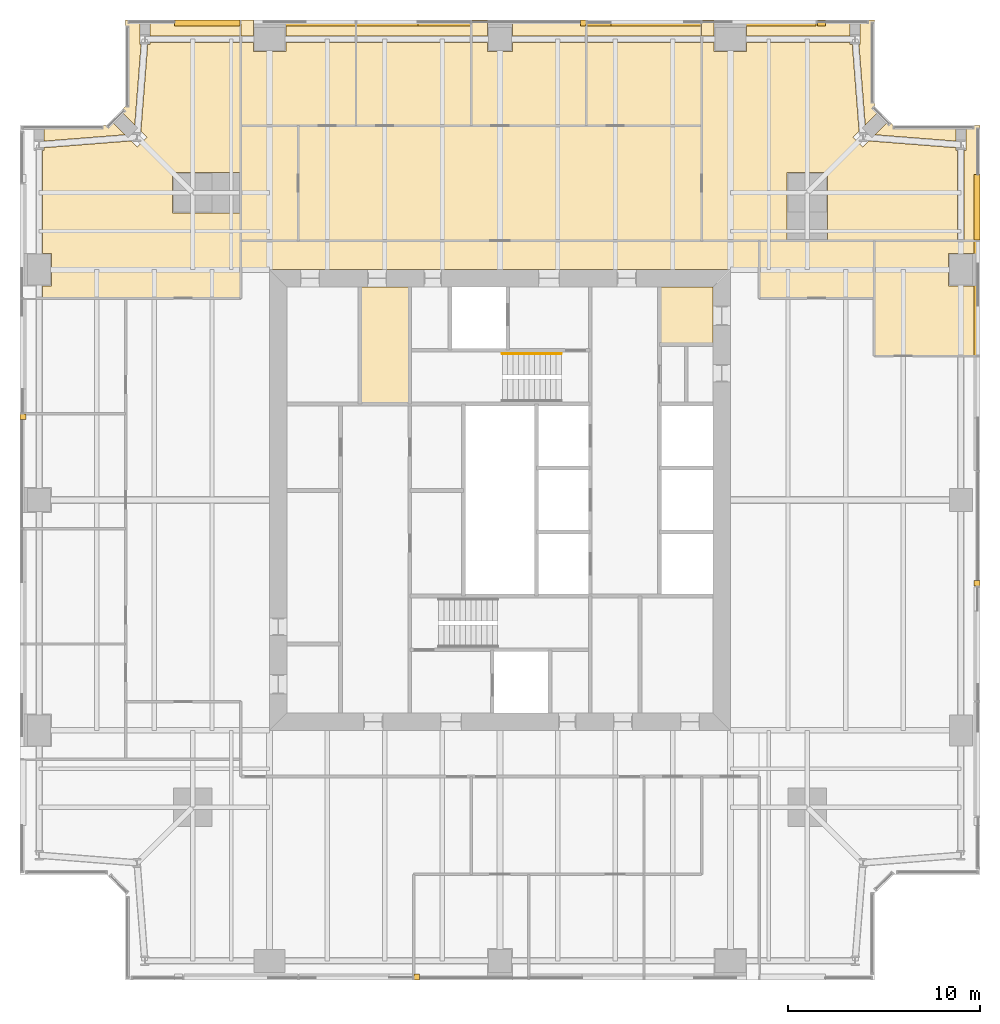
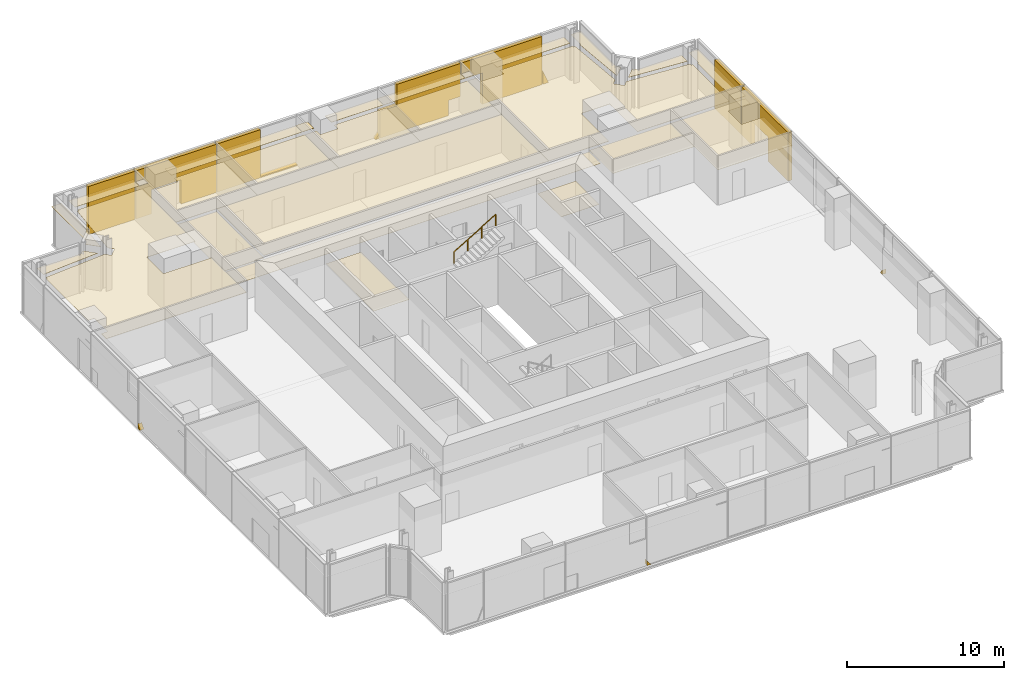
# One storey, part 14 of 14: 39 coverings, 1 railing.
"""IFC4 building model written with IfcOpenShell, lengths in metres."""

from ifc_helpers import new_model, si_unit, direction, frame, origin, origin_2d, place, context, subcontext, project, spatial, polyline, circle, outline, extrude, material, layer, layer_set, type_object, element, save


model = new_model("IFC4")

# Units and contexts
model_context = context("Model", 3, precision=1e-05, world=origin(), true_north=direction((0.0, 1.0)))
body_context = subcontext(model_context, "Body", "Model", "MODEL_VIEW")
ifc_project = project(units=[si_unit("LENGTHUNIT", "METRE"), si_unit("AREAUNIT", "SQUARE_METRE"), si_unit("VOLUMEUNIT", "CUBIC_METRE"), si_unit("PLANEANGLEUNIT", "RADIAN"), si_unit("MASSUNIT", "GRAM", prefix="KILO")], contexts=[model_context])

# Site, building, storey
site_placement = place(None, origin())
site = spatial("IfcSite", under=ifc_project, at=site_placement, CompositionType="ELEMENT")
building_placement = place(site_placement, origin())
building = spatial("IfcBuilding", under=site, at=building_placement, Name="Fenwick Lantern Interchange", CompositionType="ELEMENT")
storey_placement = place(building_placement, frame((0.0, 0.0, 193.800048828125)))
storey = spatial("IfcBuildingStorey", under=building, at=storey_placement, Name="L45", CompositionType="ELEMENT", Elevation=193.800048828125)

# Coverings
ifc_material_1 = material(Name="Mineral fibre acoustic tile on suspended grid")
ifc_layer_1 = layer(ifc_material_1, 0.02001953125)
ifc_layer_set_1 = layer_set([ifc_layer_1], Name="ACOUSTIC TILE CEILING 20")
covering_type_1 = type_object("IfcCoveringType", Name="ACOUSTIC TILE CEILING 20", PredefinedType="CEILING", material=ifc_layer_set_1)
covering_1_placement = place(storey_placement, frame((0.0, 0.0, 2.699951171875)))
element("IfcCovering", 1, at=covering_1_placement, inside=storey, type_object=covering_type_1, Name="Quiet room ceiling", PredefinedType="CEILING", context=body_context, shape_type="SweptSolid", body=[
    extrude(outline(polyline([(50.0, 32.5), (50.0, 36.14990234375), (48.35009765625, 36.14990234375), (48.35009765625, 37.85009765625), (50.0, 37.85009765625), (50.0, 38.5), (44.5, 38.5), (44.5, 32.5), (50.0, 32.5)])), origin(), (0.0, 0.0, 1.0), 0.02001953125),
])
covering_2_placement = place(storey_placement, frame((0.0, 0.0, 2.89990234375)))
element("IfcCovering", 2, at=covering_2_placement, inside=storey, type_object=covering_type_1, Name="Open office ceiling", PredefinedType="CEILING", context=body_context, shape_type="SweptSolid", body=[
    extrude(outline(polyline([(35.5, 38.5), (35.5, 44.5), (14.5, 44.5), (14.5, 38.5), (35.5, 38.5)])), origin(), (0.0, 0.0, 1.0), 0.02001953125),
])
covering_3_placement = place(storey_placement, frame((0.0, 0.0, 2.89990234375)))
element("IfcCovering", 3, at=covering_3_placement, inside=storey, type_object=covering_type_1, Name="Office ceiling", PredefinedType="CEILING", context=body_context, shape_type="SweptSolid", body=[
    extrude(outline(polyline([(42.050048828125, 38.5), (48.82763671875, 38.5), (48.82763671875, 43.21240234375), (48.73779296875, 43.21240234375), (48.73779296875, 43.34765625), (44.22216796875, 43.701904296875), (43.89990234375, 43.379638671875), (43.379638671875, 43.89990234375), (43.701904296875, 44.22216796875), (43.349609375, 48.71240234375), (43.23779296875, 48.71240234375), (43.23779296875, 48.82763671875), (37.85009765625, 48.82763671875), (37.85009765625, 48.35009765625), (36.14990234375, 48.35009765625), (36.14990234375, 48.82763671875), (35.5, 48.82763671875), (35.5, 38.5), (39.949951171875, 38.5), (39.949951171875, 42.050048828125), (42.050048828125, 42.050048828125), (42.050048828125, 38.5)])), origin(), (0.0, 0.0, 1.0), 0.02001953125),
])
covering_4_placement = place(storey_placement, frame((0.0, 0.0, 2.89990234375)))
element("IfcCovering", 4, at=covering_4_placement, inside=storey, type_object=covering_type_1, Name="Office ceiling", PredefinedType="CEILING", context=body_context, shape_type="SweptSolid", body=[
    extrude(outline(polyline([(49.26220703125, 44.5), (49.26220703125, 43.21240234375), (49.17236328125, 43.21240234375), (49.17236328125, 38.5), (50.0, 38.5), (50.0, 44.5), (49.26220703125, 44.5)])), origin(), (0.0, 0.0, 1.0), 0.02001953125),
])
covering_5_placement = place(storey_placement, frame((0.0, 0.0, 2.89990234375)))
element("IfcCovering", 5, at=covering_5_placement, inside=storey, type_object=covering_type_1, Name="Office ceiling", PredefinedType="CEILING", context=body_context, shape_type="SweptSolid", body=[
    extrude(outline(polyline([(37.85009765625, 50.0), (37.85009765625, 49.17236328125), (43.23779296875, 49.17236328125), (43.23779296875, 50.0), (37.85009765625, 50.0)])), origin(), (0.0, 0.0, 1.0), 0.02001953125),
])
covering_6_placement = place(storey_placement, frame((0.0, 0.0, 2.89990234375)))
element("IfcCovering", 6, at=covering_6_placement, inside=storey, type_object=covering_type_1, Name="Office ceiling", PredefinedType="CEILING", context=body_context, shape_type="SweptSolid", body=[
    extrude(outline(polyline([(43.76220703125, 48.71240234375), (43.695556640625, 48.71240234375), (44.0224609375, 44.542724609375), (44.73974609375, 45.26025390625), (44.5, 45.5), (44.5, 50.0), (43.76220703125, 50.0), (43.76220703125, 48.71240234375)])), origin(), (0.0, 0.0, 1.0), 0.02001953125),
])
covering_7_placement = place(storey_placement, frame((0.0, 0.0, 2.89990234375)))
element("IfcCovering", 7, at=covering_7_placement, inside=storey, type_object=covering_type_1, Name="Office ceiling", PredefinedType="CEILING", context=body_context, shape_type="SweptSolid", body=[
    extrude(outline(polyline([(45.26025390625, 44.73974609375), (44.542724609375, 44.0224609375), (48.73779296875, 43.693603515625), (48.73779296875, 44.5), (45.5, 44.5), (45.26025390625, 44.73974609375)])), origin(), (0.0, 0.0, 1.0), 0.02001953125),
])
covering_8_placement = place(storey_placement, frame((0.0, 0.0, 2.89990234375)))
element("IfcCovering", 8, at=covering_8_placement, inside=storey, type_object=covering_type_1, Name="Office ceiling", PredefinedType="CEILING", context=body_context, shape_type="SweptSolid", body=[
    extrude(outline(polyline([(35.5, 50.0), (35.5, 49.17236328125), (36.14990234375, 49.17236328125), (36.14990234375, 50.0), (35.5, 50.0)])), origin(), (0.0, 0.0, 1.0), 0.02001953125),
])
covering_9_placement = place(storey_placement, frame((0.0, 0.0, 2.89990234375)))
element("IfcCovering", 9, at=covering_9_placement, inside=storey, type_object=covering_type_1, Name="Office ceiling", PredefinedType="CEILING", context=body_context, shape_type="SweptSolid", body=[
    extrude(outline(polyline([(35.5, 44.5), (35.5, 48.82763671875), (29.5, 48.82763671875), (29.5, 44.5), (35.5, 44.5)])), origin(), (0.0, 0.0, 1.0), 0.02001953125),
])
covering_10_placement = place(storey_placement, frame((0.0, 0.0, 2.89990234375)))
element("IfcCovering", 10, at=covering_10_placement, inside=storey, type_object=covering_type_1, Name="Office ceiling", PredefinedType="CEILING", context=body_context, shape_type="SweptSolid", body=[
    extrude(outline(polyline([(29.5, 50.0), (29.5, 49.17236328125), (35.5, 49.17236328125), (35.5, 50.0), (29.5, 50.0)])), origin(), (0.0, 0.0, 1.0), 0.02001953125),
])
covering_11_placement = place(storey_placement, frame((0.0, 0.0, 2.89990234375)))
element("IfcCovering", 11, at=covering_11_placement, inside=storey, type_object=covering_type_1, Name="Office ceiling", PredefinedType="CEILING", context=body_context, shape_type="SweptSolid", body=[
    extrude(outline(polyline([(29.5, 44.5), (29.5, 48.82763671875), (25.64990234375, 48.82763671875), (25.64990234375, 48.35009765625), (24.35009765625, 48.35009765625), (24.35009765625, 48.82763671875), (23.5, 48.82763671875), (23.5, 44.5), (29.5, 44.5)])), origin(), (0.0, 0.0, 1.0), 0.02001953125),
])
covering_12_placement = place(storey_placement, frame((0.0, 0.0, 2.89990234375)))
element("IfcCovering", 12, at=covering_12_placement, inside=storey, type_object=covering_type_1, Name="Office ceiling", PredefinedType="CEILING", context=body_context, shape_type="SweptSolid", body=[
    extrude(outline(polyline([(29.5, 49.17236328125), (29.5, 50.0), (25.64990234375, 50.0), (25.64990234375, 49.17236328125), (29.5, 49.17236328125)])), origin(), (0.0, 0.0, 1.0), 0.02001953125),
])
covering_13_placement = place(storey_placement, frame((0.0, 0.0, 2.89990234375)))
element("IfcCovering", 13, at=covering_13_placement, inside=storey, type_object=covering_type_1, Name="Office ceiling", PredefinedType="CEILING", context=body_context, shape_type="SweptSolid", body=[
    extrude(outline(polyline([(23.5, 50.0), (23.5, 49.17236328125), (24.35009765625, 49.17236328125), (24.35009765625, 50.0), (23.5, 50.0)])), origin(), (0.0, 0.0, 1.0), 0.02001953125),
])
covering_14_placement = place(storey_placement, frame((0.0, 0.0, 2.89990234375)))
element("IfcCovering", 14, at=covering_14_placement, inside=storey, type_object=covering_type_1, Name="Office ceiling", PredefinedType="CEILING", context=body_context, shape_type="SweptSolid", body=[
    extrude(outline(polyline([(23.5, 44.5), (23.5, 48.82763671875), (17.5, 48.82763671875), (17.5, 44.5), (23.5, 44.5)])), origin(), (0.0, 0.0, 1.0), 0.02001953125),
])
covering_15_placement = place(storey_placement, frame((0.0, 0.0, 2.89990234375)))
element("IfcCovering", 15, at=covering_15_placement, inside=storey, type_object=covering_type_1, Name="Office ceiling", PredefinedType="CEILING", context=body_context, shape_type="SweptSolid", body=[
    extrude(outline(polyline([(17.5, 50.0), (17.5, 49.17236328125), (23.5, 49.17236328125), (23.5, 50.0), (17.5, 50.0)])), origin(), (0.0, 0.0, 1.0), 0.02001953125),
])
covering_16_placement = place(storey_placement, frame((0.0, 0.0, 2.89990234375)))
element("IfcCovering", 16, at=covering_16_placement, inside=storey, type_object=covering_type_1, Name="Office ceiling", PredefinedType="CEILING", context=body_context, shape_type="SweptSolid", body=[
    extrude(outline(polyline([(17.5, 44.5), (17.5, 48.82763671875), (13.85009765625, 48.82763671875), (13.85009765625, 48.35009765625), (12.14990234375, 48.35009765625), (12.14990234375, 48.82763671875), (11.5, 48.82763671875), (11.5, 44.5), (17.5, 44.5)])), origin(), (0.0, 0.0, 1.0), 0.02001953125),
])
covering_17_placement = place(storey_placement, frame((0.0, 0.0, 2.89990234375)))
element("IfcCovering", 17, at=covering_17_placement, inside=storey, type_object=covering_type_1, Name="Office ceiling", PredefinedType="CEILING", context=body_context, shape_type="SweptSolid", body=[
    extrude(outline(polyline([(17.5, 49.17236328125), (17.5, 50.0), (13.85009765625, 50.0), (13.85009765625, 49.17236328125), (17.5, 49.17236328125)])), origin(), (0.0, 0.0, 1.0), 0.02001953125),
])
covering_18_placement = place(storey_placement, frame((0.0, 0.0, 2.89990234375)))
element("IfcCovering", 18, at=covering_18_placement, inside=storey, type_object=covering_type_1, Name="Office ceiling", PredefinedType="CEILING", context=body_context, shape_type="SweptSolid", body=[
    extrude(outline(polyline([(11.5, 50.0), (11.5, 49.17236328125), (12.14990234375, 49.17236328125), (12.14990234375, 50.0), (11.5, 50.0)])), origin(), (0.0, 0.0, 1.0), 0.02001953125),
])
covering_19_placement = place(storey_placement, frame((0.0, 0.0, 2.89990234375)))
element("IfcCovering", 19, at=covering_19_placement, inside=storey, type_object=covering_type_1, Name="Office ceiling", PredefinedType="CEILING", context=body_context, shape_type="SweptSolid", body=[
    extrude(outline(polyline([(6.76220703125, 48.71240234375), (6.650390625, 48.71240234375), (6.298095703125, 44.22216796875), (6.620361328125, 43.89990234375), (6.10009765625, 43.379638671875), (5.77783203125, 43.701904296875), (1.26220703125, 43.34765625), (1.26220703125, 43.21240234375), (1.17236328125, 43.21240234375), (1.17236328125, 37.85009765625), (1.64990234375, 37.85009765625), (1.64990234375, 36.14990234375), (1.17236328125, 36.14990234375), (1.17236328125, 35.5), (11.5, 35.5), (11.5, 39.949951171875), (7.949951171875, 39.949951171875), (7.949951171875, 42.050048828125), (11.5, 42.050048828125), (11.5, 48.82763671875), (6.76220703125, 48.82763671875), (6.76220703125, 48.71240234375)])), origin(), (0.0, 0.0, 1.0), 0.02001953125),
])
covering_20_placement = place(storey_placement, frame((0.0, 0.0, 2.89990234375)))
element("IfcCovering", 20, at=covering_20_placement, inside=storey, type_object=covering_type_1, Name="Office ceiling", PredefinedType="CEILING", context=body_context, shape_type="SweptSolid", body=[
    extrude(outline(polyline([(6.76220703125, 50.0), (6.76220703125, 49.17236328125), (11.5, 49.17236328125), (11.5, 50.0), (6.76220703125, 50.0)])), origin(), (0.0, 0.0, 1.0), 0.02001953125),
])
covering_21_placement = place(storey_placement, frame((0.0, 0.0, 2.89990234375)))
element("IfcCovering", 21, at=covering_21_placement, inside=storey, type_object=covering_type_1, Name="Office ceiling", PredefinedType="CEILING", context=body_context, shape_type="SweptSolid", body=[
    extrude(outline(polyline([(6.304443359375, 48.71240234375), (6.23779296875, 48.71240234375), (6.23779296875, 50.0), (5.5, 50.0), (5.5, 45.5), (5.26025390625, 45.26025390625), (5.9775390625, 44.542724609375), (6.304443359375, 48.71240234375)])), origin(), (0.0, 0.0, 1.0), 0.02001953125),
])
covering_22_placement = place(storey_placement, frame((0.0, 0.0, 2.89990234375)))
element("IfcCovering", 22, at=covering_22_placement, inside=storey, type_object=covering_type_1, Name="Office ceiling", PredefinedType="CEILING", context=body_context, shape_type="SweptSolid", body=[
    extrude(outline(polyline([(1.26220703125, 44.5), (1.26220703125, 43.693603515625), (5.457275390625, 44.0224609375), (4.73974609375, 44.73974609375), (4.5, 44.5), (1.26220703125, 44.5)])), origin(), (0.0, 0.0, 1.0), 0.02001953125),
])
ifc_material_2 = material(Name="Granite cladding, warm grey flamed finish, on aluminium carrier frame", Category="masonry")
ifc_layer_2 = layer(ifc_material_2, 0.300048828125)
ifc_layer_set_2 = layer_set([ifc_layer_2], Name="BRACE CASING PANEL 300")
covering_type_2 = type_object("IfcCoveringType", Name="BRACE CASING PANEL 300", PredefinedType="CLADDING", material=ifc_layer_set_2)
for number, where, z_axis, x_axis, name in (
    (23, (5.60009765625, 0.10009765625, 0.0), (0.0, 0.0, 1.0), (1.0, 0.0, 0.0), "Brace casing 01 bay 03a"),
    (24, (49.89990234375, 5.60009765625, 0.0), (0.0, 0.0, 1.0), (0.0, 1.0, 0.0), "Brace casing 05 bay 03a"),
):
    element("IfcCovering", number, at=place(storey_placement, frame(where, z_axis=z_axis, x_axis=x_axis)), inside=storey, type_object=covering_type_2, Name=name, PredefinedType="CLADDING", context=body_context, shape_type="SweptSolid", body=[
        extrude(outline(polyline([(14.9326171875, 0.0), (15.195556640625, 0.0), (14.9326171875, 0.3505859375), (14.9326171875, 0.0)])), frame((0.0, 0.2001953125, 0.0), z_axis=(0.0, -1.0, 0.0), x_axis=(1.0, 0.0, 0.0)), (0.0, 0.0, 1.0), 0.300048828125),
    ])
covering_23_placement = place(storey_placement, frame((49.89990234375, 5.60009765625, 0.0), z_axis=(0.0, 0.0, 1.0), x_axis=(0.0, 1.0, 0.0)))
element("IfcCovering", 25, at=covering_23_placement, inside=storey, type_object=covering_type_2, Name="Brace casing 05 bay 05a", PredefinedType="CLADDING", context=body_context, shape_type="SweptSolid", body=[
    extrude(outline(polyline([(26.9326171875, 0.0), (29.51953125, 0.0), (29.51953125, 1.88671875), (31.694580078125, 1.88671875), (31.694580078125, 0.0), (32.867431640625, 0.0), (32.867431640625, 3.75), (26.9326171875, 3.75), (26.9326171875, 0.0)])), frame((0.0, 0.2001953125, 0.0), z_axis=(0.0, -1.0, 0.0), x_axis=(1.0, 0.0, 0.0)), (0.0, 0.0, 1.0), 0.300048828125),
])
covering_24_placement = place(storey_placement, frame((49.89990234375, 5.60009765625, 0.0), z_axis=(0.0, 0.0, 1.0), x_axis=(0.0, 1.0, 0.0)))
element("IfcCovering", 26, at=covering_24_placement, inside=storey, type_object=covering_type_2, Name="Brace casing 05 bay 06a", PredefinedType="CLADDING", context=body_context, shape_type="SweptSolid", body=[
    extrude(outline(polyline([(32.9326171875, 0.0), (36.34814453125, 0.0), (36.34814453125, 3.75), (32.9326171875, 3.75), (32.9326171875, 0.0)])), frame((0.0, 0.2001953125, 0.0), z_axis=(0.0, -1.0, 0.0), x_axis=(1.0, 0.0, 0.0)), (0.0, 0.0, 1.0), 0.300048828125),
])
covering_25_placement = place(storey_placement, frame((44.39990234375, 49.89990234375, 0.0), z_axis=(0.0, 0.0, 1.0), x_axis=(-1.0, 0.0, 0.0)))
element("IfcCovering", 27, at=covering_25_placement, inside=storey, type_object=covering_type_2, Name="Brace casing 09 bay 00a", PredefinedType="CLADDING", context=body_context, shape_type="SweptSolid", body=[
    extrude(outline(polyline([(2.453369140625, 0.0), (2.867431640625, 0.0), (2.867431640625, 1.01953125), (2.453369140625, 0.0)])), frame((0.0, 0.2001953125, 0.0), z_axis=(0.0, -1.0, 0.0), x_axis=(1.0, 0.0, 0.0)), (0.0, 0.0, 1.0), 0.300048828125),
])
covering_26_placement = place(storey_placement, frame((44.39990234375, 49.89990234375, 0.0), z_axis=(0.0, 0.0, 1.0), x_axis=(-1.0, 0.0, 0.0)))
element("IfcCovering", 28, at=covering_26_placement, inside=storey, type_object=covering_type_2, Name="Brace casing 09 bay 01a", PredefinedType="CLADDING", context=body_context, shape_type="SweptSolid", body=[
    extrude(outline(polyline([(2.9326171875, 0.0), (7.3291015625, 0.0), (7.3291015625, 2.436767578125), (8.867431640625, 2.436767578125), (8.867431640625, 3.75), (2.9326171875, 3.75), (2.9326171875, 0.0)])), frame((0.0, 0.2001953125, 0.0), z_axis=(0.0, -1.0, 0.0), x_axis=(1.0, 0.0, 0.0)), (0.0, 0.0, 1.0), 0.300048828125),
])
covering_27_placement = place(storey_placement, frame((44.39990234375, 49.89990234375, 0.0), z_axis=(0.0, 0.0, 1.0), x_axis=(-1.0, 0.0, 0.0)))
element("IfcCovering", 29, at=covering_27_placement, inside=storey, type_object=covering_type_2, Name="Brace casing 09 bay 02a", PredefinedType="CLADDING", context=body_context, shape_type="SweptSolid", body=[
    extrude(outline(polyline([(9.8125, 0.0), (14.867431640625, 0.0), (14.867431640625, 2.0966796875), (13.623046875, 2.0966796875), (13.623046875, 3.75), (8.9326171875, 3.75), (8.9326171875, 1.17724609375), (9.8125, 1.17724609375), (9.8125, 0.0)])), frame((0.0, 0.2001953125, 0.0), z_axis=(0.0, -1.0, 0.0), x_axis=(1.0, 0.0, 0.0)), (0.0, 0.0, 1.0), 0.300048828125),
])
covering_28_placement = place(storey_placement, frame((44.39990234375, 49.89990234375, 0.0), z_axis=(0.0, 0.0, 1.0), x_axis=(-1.0, 0.0, 0.0)))
element("IfcCovering", 30, at=covering_28_placement, inside=storey, type_object=covering_type_2, Name="Brace casing 09 bay 03a", PredefinedType="CLADDING", context=body_context, shape_type="SweptSolid", body=[
    extrude(outline(polyline([(14.9326171875, 0.0), (15.195556640625, 0.0), (14.9326171875, 0.3505859375), (14.9326171875, 0.0)])), frame((0.0, 0.2001953125, 0.0), z_axis=(0.0, -1.0, 0.0), x_axis=(1.0, 0.0, 0.0)), (0.0, 0.0, 1.0), 0.300048828125),
])
covering_29_placement = place(storey_placement, frame((44.39990234375, 49.89990234375, 0.0), z_axis=(0.0, 0.0, 1.0), x_axis=(-1.0, 0.0, 0.0)))
element("IfcCovering", 31, at=covering_29_placement, inside=storey, type_object=covering_type_2, Name="Brace casing 09 bay 04a", PredefinedType="CLADDING", context=body_context, shape_type="SweptSolid", body=[
    extrude(outline(polyline([(20.9326171875, 0.0), (26.867431640625, 0.0), (26.867431640625, 3.75), (23.672607421875, 3.75), (23.672607421875, 0.090576171875), (20.9326171875, 0.090576171875), (20.9326171875, 0.0)])), frame((0.0, 0.2001953125, 0.0), z_axis=(0.0, -1.0, 0.0), x_axis=(1.0, 0.0, 0.0)), (0.0, 0.0, 1.0), 0.300048828125),
])
covering_30_placement = place(storey_placement, frame((44.39990234375, 49.89990234375, 0.0), z_axis=(0.0, 0.0, 1.0), x_axis=(-1.0, 0.0, 0.0)))
element("IfcCovering", 32, at=covering_30_placement, inside=storey, type_object=covering_type_2, Name="Brace casing 09 bay 05a", PredefinedType="CLADDING", context=body_context, shape_type="SweptSolid", body=[
    extrude(outline(polyline([(26.9326171875, 0.0), (29.51953125, 0.0), (29.51953125, 1.88671875), (31.694580078125, 1.88671875), (31.694580078125, 0.0), (32.867431640625, 0.0), (32.867431640625, 3.75), (26.9326171875, 3.75), (26.9326171875, 0.0)])), frame((0.0, 0.2001953125, 0.0), z_axis=(0.0, -1.0, 0.0), x_axis=(1.0, 0.0, 0.0)), (0.0, 0.0, 1.0), 0.300048828125),
])
covering_31_placement = place(storey_placement, frame((44.39990234375, 49.89990234375, 0.0), z_axis=(0.0, 0.0, 1.0), x_axis=(-1.0, 0.0, 0.0)))
element("IfcCovering", 33, at=covering_31_placement, inside=storey, type_object=covering_type_2, Name="Brace casing 09 bay 06a", PredefinedType="CLADDING", context=body_context, shape_type="SweptSolid", body=[
    extrude(outline(polyline([(32.9326171875, 0.0), (36.34814453125, 0.0), (36.34814453125, 3.75), (32.9326171875, 3.75), (32.9326171875, 0.0)])), frame((0.0, 0.2001953125, 0.0), z_axis=(0.0, -1.0, 0.0), x_axis=(1.0, 0.0, 0.0)), (0.0, 0.0, 1.0), 0.300048828125),
])
covering_32_placement = place(storey_placement, frame((0.10009765625, 44.39990234375, 0.0), z_axis=(0.0, 0.0, 1.0), x_axis=(0.0, -1.0, 0.0)))
element("IfcCovering", 34, at=covering_32_placement, inside=storey, type_object=covering_type_2, Name="Brace casing 13 bay 03a", PredefinedType="CLADDING", context=body_context, shape_type="SweptSolid", body=[
    extrude(outline(polyline([(14.9326171875, 0.0), (15.195556640625, 0.0), (14.9326171875, 0.3505859375), (14.9326171875, 0.0)])), frame((0.0, 0.2001953125, 0.0), z_axis=(0.0, -1.0, 0.0), x_axis=(1.0, 0.0, 0.0)), (0.0, 0.0, 1.0), 0.300048828125),
])

# Railing
ifc_material_3 = material(Name="Stainless steel handrail", Category="steel")
railing_type = type_object("IfcRailingType", Name="HANDRAIL 900", PredefinedType="HANDRAIL", material=ifc_material_3)
railing_placement = place(storey_placement, frame((25.1201171875, 32.6259765625, 2.16650390625)))
element("IfcRailing", 35, at=railing_placement, inside=storey, type_object=railing_type, Name="L45/STAIR/ST2/HR2", PredefinedType="HANDRAIL", context=body_context, shape_type="SweptSolid", body=[
    extrude(circle(Radius=0.02392578125, at=origin_2d()), frame((0.0, 0.0, 0.8759765625), z_axis=(0.859260807169, 0.0, 0.511537745687), x_axis=(0.0, 1.0, 0.0)), (0.0, 0.0, 1.0), 3.584228515625),
    extrude(circle(Radius=0.02099609375, at=origin_2d()), origin(), (0.0, 0.0, 1.0), 0.851806640625),
    extrude(circle(Radius=0.02099609375, at=origin_2d()), frame((1.026611328125, 0.0, 0.611083984375)), (0.0, 0.0, 1.0), 0.851806640625),
    extrude(circle(Radius=0.02099609375, at=origin_2d()), frame((2.05322265625, 0.0, 1.222412109375)), (0.0, 0.0, 1.0), 0.851806640625),
    extrude(circle(Radius=0.02099609375, at=origin_2d()), frame((3.079833984375, 0.0, 1.83349609375)), (0.0, 0.0, 1.0), 0.851806640625),
])

# Coverings
ifc_material_4 = material(Name="Moisture resistant gypsum board on suspended frame, painted")
ifc_layer_3 = layer(ifc_material_4, 0.014892578125)
ifc_layer_set_3 = layer_set([ifc_layer_3], Name="MOISTURE RESISTANT CEILING 15")
covering_type_3 = type_object("IfcCoveringType", Name="MOISTURE RESISTANT CEILING 15", PredefinedType="CEILING", material=ifc_layer_set_3)
covering_33_placement = place(storey_placement, frame((0.0, 0.0, 2.599853515625)))
element("IfcCovering", 36, at=covering_33_placement, inside=storey, type_object=covering_type_3, Name="Men's WC ceiling", PredefinedType="CEILING", context=body_context, shape_type="SweptSolid", body=[
    extrude(outline(polyline([(20.300048828125, 36.10009765625), (17.699951171875, 36.10009765625), (17.699951171875, 30.0), (20.300048828125, 30.0), (20.300048828125, 36.10009765625)])), origin(), (0.0, 0.0, 1.0), 0.01513671875),
])
covering_34_placement = place(storey_placement, frame((0.0, 0.0, 2.599853515625)))
element("IfcCovering", 37, at=covering_34_placement, inside=storey, type_object=covering_type_3, Name="Accessible WC ceiling", PredefinedType="CEILING", context=body_context, shape_type="SweptSolid", body=[
    extrude(outline(polyline([(36.10009765625, 36.10009765625), (33.300048828125, 36.10009765625), (33.300048828125, 33.10009765625), (36.10009765625, 33.10009765625), (36.10009765625, 36.10009765625)])), origin(), (0.0, 0.0, 1.0), 0.01513671875),
])
covering_35_placement = place(storey_placement, frame((0.0, 0.0, 2.699951171875)))
element("IfcCovering", 38, at=covering_35_placement, inside=storey, type_object=covering_type_3, Name="Pantry ceiling", PredefinedType="CEILING", context=body_context, shape_type="SweptSolid", body=[
    extrude(outline(polyline([(44.5, 35.5), (44.5, 38.5), (38.5, 38.5), (38.5, 35.5), (44.5, 35.5)])), origin(), (0.0, 0.0, 1.0), 0.014892578125),
])
covering_36_placement = place(storey_placement, frame((0.0, 0.0, 2.699951171875)))
element("IfcCovering", 39, at=covering_36_placement, inside=storey, type_object=covering_type_3, Name="Pantry ceiling", PredefinedType="CEILING", context=body_context, shape_type="SweptSolid", body=[
    extrude(outline(polyline([(14.5, 44.5), (11.5, 44.5), (11.5, 38.5), (14.5, 38.5), (14.5, 44.5)])), origin(), (0.0, 0.0, 1.0), 0.014892578125),
])
ifc_material_5 = material(Name="Gypsum plasterboard on suspended frame, painted")
ifc_layer_4 = layer(ifc_material_5, 0.014892578125)
ifc_layer_set_4 = layer_set([ifc_layer_4], Name="PLASTERBOARD CEILING 15")
covering_type_4 = type_object("IfcCoveringType", Name="PLASTERBOARD CEILING 15", PredefinedType="CEILING", material=ifc_layer_set_4)
covering_37_placement = place(storey_placement, frame((0.0, 0.0, 2.599853515625)))
element("IfcCovering", 40, at=covering_37_placement, inside=storey, type_object=covering_type_4, Name="Corridor ceiling", PredefinedType="CEILING", context=body_context, shape_type="SweptSolid", body=[
    extrude(outline(polyline([(11.5, 38.5), (11.5, 37.0), (38.5, 37.0), (38.5, 38.5), (11.5, 38.5)])), origin(), (0.0, 0.0, 1.0), 0.01513671875),
])

save(model, "model.ifc")
